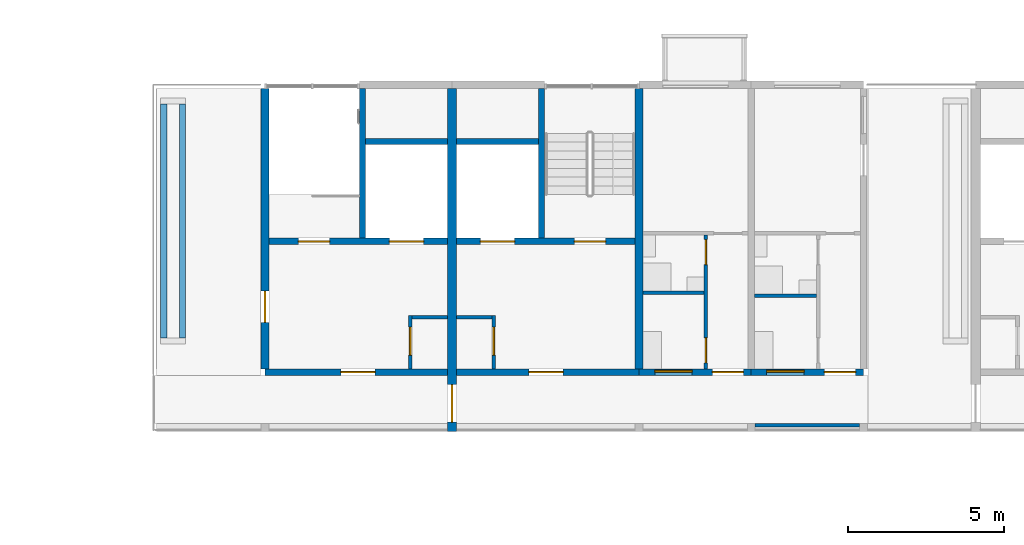
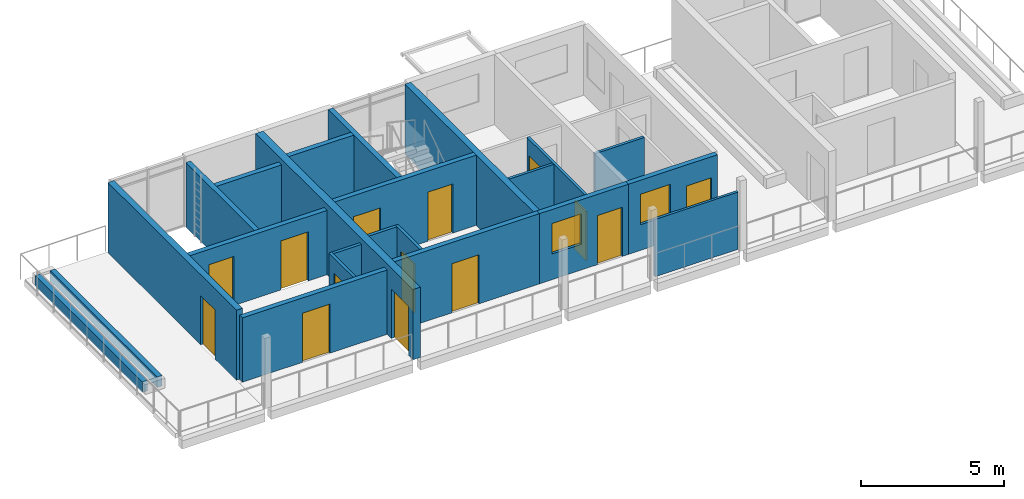
# One storey, part 38 of 94: 23 walls, 14 doors, 2 windows, 16 openings.
"""IFC4 building model written with IfcOpenShell, lengths in metres."""

import ifcopenshell
import ifcopenshell.guid

model = None  # the IFC model being written
_history = None  # IfcOwnerHistory: only IFC2X3 demands one
_inside = {}  # id of a spatial element -> (the spatial element, [elements in it])
_under = {}  # id of a project, library or spatial element -> (it, [spatial elements below it])
_declared = {}  # id of a project -> (the project, [libraries it declares])
_typed = {}  # id of a type object -> (the type object, [elements of that type])
_made_of = {}  # id of a material, layer set ... -> (it, [elements and type objects made of it])


def new_model(schema):
    """Start an empty IFC model of exactly this schema.

    Asked for "IFC4X3", IfcOpenShell would pick the latest addendum, in which some entities
    have other attributes; the version numbers below select the first issue.
    IFC2X3 requires an IfcOwnerHistory on every rooted entity: one is made here for all.
    """
    global model, _history
    if schema == "IFC4X3":
        model = ifcopenshell.file(schema_version=(4, 3, 0, 0))
    else:
        model = ifcopenshell.file(schema=schema)
    _inside.clear()
    _under.clear()
    _declared.clear()
    _typed.clear()
    _made_of.clear()
    _history = None
    if model.schema == "IFC2X3":
        org = make("IfcOrganization", Name="unknown")
        user = make(
            "IfcPersonAndOrganization",
            ThePerson=make("IfcPerson", FamilyName="unknown"),
            TheOrganization=org,
        )
        app = make(
            "IfcApplication",
            ApplicationDeveloper=org,
            Version="unknown",
            ApplicationFullName="unknown",
            ApplicationIdentifier="unknown",
        )
        _history = make(
            "IfcOwnerHistory",
            OwningUser=user,
            OwningApplication=app,
            ChangeAction="ADDED",
            CreationDate=0,
        )
    return model


def make(cls, **values):
    """One entity of the class cls with the attributes given. An attribute that is None is left unset."""
    return model.create_entity(
        cls, **{name: value for name, value in values.items() if value is not None}
    )


def rooted(cls, **values):
    """An entity with a GlobalId (a new one), such as an element, a storey or a relation."""
    return make(cls, GlobalId=ifcopenshell.guid.new(), OwnerHistory=_history, **values)


def si_unit(unit_type, name, prefix=None):
    """IfcSIUnit, for example si_unit("LENGTHUNIT", "METRE", prefix="MILLI")."""
    return make("IfcSIUnit", UnitType=unit_type, Prefix=prefix, Name=name)


def assignment(units):
    """IfcUnitAssignment: the units of a project."""
    return None if units is None else make("IfcUnitAssignment", Units=units)


def point(xyz):
    """IfcCartesianPoint."""
    return None if xyz is None else make("IfcCartesianPoint", Coordinates=xyz)


def direction(xyz):
    """IfcDirection."""
    return None if xyz is None else make("IfcDirection", DirectionRatios=xyz)


def frame(location, z_axis=None, x_axis=None):
    """IfcAxis2Placement3D, a coordinate frame: its origin and axes. An axis left out is left unset."""
    return make(
        "IfcAxis2Placement3D",
        Location=point(location),
        Axis=direction(z_axis),
        RefDirection=direction(x_axis),
    )


def frame_2d(location, x_axis=None):
    """IfcAxis2Placement2D, a coordinate frame in the plane: its origin and x axis."""
    return make(
        "IfcAxis2Placement2D", Location=point(location), RefDirection=direction(x_axis)
    )


def origin():
    """The frame at (0, 0, 0) with its axes left unset."""
    return frame((0.0, 0.0, 0.0))


def place(relative_to, where):
    """IfcLocalPlacement: puts the frame where relative to a parent placement (None: the world)."""
    return make(
        "IfcLocalPlacement", PlacementRelTo=relative_to, RelativePlacement=where
    )


def context(
    kind, dimensions, precision=None, world=None, true_north=None, identifier=None
):
    """IfcGeometricRepresentationContext, for example the 3D "Model" context."""
    return make(
        "IfcGeometricRepresentationContext",
        ContextIdentifier=identifier,
        ContextType=kind,
        CoordinateSpaceDimension=dimensions,
        Precision=precision,
        WorldCoordinateSystem=world,
        TrueNorth=true_north,
    )


def subcontext(parent, identifier, kind, view, scale=None):
    """IfcGeometricRepresentationSubContext, for example "Body" below "Model"."""
    return make(
        "IfcGeometricRepresentationSubContext",
        ContextIdentifier=identifier,
        ContextType=kind,
        ParentContext=parent,
        TargetScale=scale,
        TargetView=view,
    )


def project(units=None, contexts=None):
    """IfcProject with its units and contexts."""
    return rooted(
        "IfcProject",
        Name="project",
        RepresentationContexts=contexts,
        UnitsInContext=assignment(units),
    )


def spatial(cls, under=None, at=None, **own):
    """A site, building, storey or space (cls), placed at a placement, below another one or the project."""
    s = rooted(cls, ObjectPlacement=at, **own)
    if under is not None:
        _under.setdefault(under.id(), (under, []))[1].append(s)
    return s


def profile(cls, at=None, kind="AREA", **sizes):
    """A parametric profile (cls). Its sizes go by their IFC names, for example OverallWidth=200.0."""
    return make(cls, ProfileType=kind, Position=at, **sizes)


def rectangle(**sizes):
    """IfcRectangleProfileDef."""
    return profile("IfcRectangleProfileDef", **sizes)


def extrude(swept, where, along, depth):
    """IfcExtrudedAreaSolid: the profile swept, set in the frame where, extruded along a direction by depth."""
    return make(
        "IfcExtrudedAreaSolid",
        SweptArea=swept,
        Position=where,
        ExtrudedDirection=direction(along),
        Depth=depth,
    )


def shape(context_of_items, identifier, shape_type, items):
    """IfcShapeRepresentation: the items that make up one representation, for example the "Body"."""
    return make(
        "IfcShapeRepresentation",
        ContextOfItems=context_of_items,
        RepresentationIdentifier=identifier,
        RepresentationType=shape_type,
        Items=items,
    )


def material(Name=None, Category=None):
    """IfcMaterial."""
    return make("IfcMaterial", Name=Name, Category=Category)


def layer(
    of_material, thickness, ventilated=None, Name=None, Category=None, Priority=None
):
    """IfcMaterialLayer: one layer of a wall or slab, of a material (None: an air gap)."""
    return make(
        "IfcMaterialLayer",
        Material=of_material,
        LayerThickness=thickness,
        IsVentilated=ventilated,
        Name=Name,
        Category=Category,
        Priority=Priority,
    )


def layer_set(layers, Name=None):
    """IfcMaterialLayerSet."""
    return make("IfcMaterialLayerSet", MaterialLayers=layers, LayerSetName=Name)


def made_of(thing, what):
    """Note that an element or type object is made of a material, layer set ...; save() writes the relation."""
    if what is not None:
        _made_of.setdefault(what.id(), (what, []))[1].append(thing)
    return thing


def type_object(cls, material=None, **own):
    """A type object (cls), such as IfcWallType, which elements share."""
    return made_of(rooted(cls, **own), material)


def element(
    cls,
    number,
    at=None,
    inside=None,
    cuts=None,
    type_object=None,
    material=None,
    context=None,
    identifier="Body",
    shape_type=None,
    held_by="IfcProductDefinitionShape",
    body=None,
    shapes=None,
    **own,
):
    """One element of the class cls, such as IfcWall. Its Tag is "e" and its number.

    at: its placement. inside: the storey or other place that contains it. cuts: it is an
    opening in that element (IfcRelVoidsElement). A single representation is given by context,
    identifier, shape_type and body (its items); several are given by shapes. held_by: the class
    of the entity that holds the representations. save() writes the other relations.
    """
    e = rooted(cls, Tag="e%d" % number, ObjectPlacement=at, **own)
    if body is not None:
        shapes = [shape(context, identifier, shape_type, body)]
    if shapes is not None:
        e.Representation = make(held_by, Representations=shapes)
    if inside is not None:
        _inside.setdefault(inside.id(), (inside, []))[1].append(e)
    if cuts is not None:
        rooted(
            "IfcRelVoidsElement", RelatingBuildingElement=cuts, RelatedOpeningElement=e
        )
    if type_object is not None:
        _typed.setdefault(type_object.id(), (type_object, []))[1].append(e)
    return made_of(e, material)


def fill(opening, filler):
    """IfcRelFillsElement: the door or window that sits in an opening."""
    return rooted(
        "IfcRelFillsElement",
        RelatingOpeningElement=opening,
        RelatedBuildingElement=filler,
    )


def aggregate(whole, parts):
    """IfcRelAggregates: a whole, such as a stair, and the parts it consists of."""
    return rooted("IfcRelAggregates", RelatingObject=whole, RelatedObjects=parts)


def save(model, path):
    """Write the relations noted so far, then the file.

    IfcRelAggregates (storeys below a building ...), IfcRelContainedInSpatialStructure (elements
    in a storey), IfcRelDefinesByType, IfcRelAssociatesMaterial and IfcRelDeclares: one each for
    every whole, place, type object, material and project.
    """
    for whole, parts in _under.values():
        aggregate(whole, parts)
    for where, things in _inside.values():
        rooted(
            "IfcRelContainedInSpatialStructure",
            RelatedElements=things,
            RelatingStructure=where,
        )
    for kind, things in _typed.values():
        rooted("IfcRelDefinesByType", RelatedObjects=things, RelatingType=kind)
    for what, things in _made_of.values():
        rooted("IfcRelAssociatesMaterial", RelatedObjects=things, RelatingMaterial=what)
    for by, libraries in _declared.values():
        rooted("IfcRelDeclares", RelatingContext=by, RelatedDefinitions=libraries)
    model.write(path)


model = new_model("IFC4")

# Units and contexts
model_context = context("Model", 3, precision=1e-05, world=origin(), true_north=direction((0.0, 1.0)))
body_context = subcontext(model_context, "Body", "Model", "MODEL_VIEW")
ifc_project = project(units=[si_unit("LENGTHUNIT", "METRE"), si_unit("AREAUNIT", "SQUARE_METRE"), si_unit("VOLUMEUNIT", "CUBIC_METRE"), si_unit("PLANEANGLEUNIT", "RADIAN"), si_unit("MASSUNIT", "GRAM", prefix="KILO")], contexts=[model_context])

# Site, building, storey
site_placement = place(None, origin())
site = spatial("IfcSite", under=ifc_project, at=site_placement, CompositionType="ELEMENT")
building_placement = place(site_placement, origin())
building = spatial("IfcBuilding", under=site, at=building_placement, Name="Ridgestep Commons", CompositionType="ELEMENT")
storey_placement = place(building_placement, frame((0.0, 0.0, 24.0)))
storey = spatial("IfcBuildingStorey", under=building, at=storey_placement, Name="L08", CompositionType="ELEMENT", Elevation=24.0)

# Wall
ifc_material_1 = material(Name="Concrete C30/37", Category="concrete")
ifc_layer_1 = layer(ifc_material_1, 0.25)
ifc_layer_set_1 = layer_set([ifc_layer_1], Name="Core cross wall 250")
wall_type_1 = type_object("IfcWallType", Name="Core cross wall 250", PredefinedType="SHEAR", material=ifc_layer_set_1)
wall_1_placement = place(storey_placement, frame((34.800048828125, 68.0, 0.0), z_axis=(0.0, 0.0, 1.0), x_axis=(0.0, 1.0, 0.0)))
element("IfcWall", 1, at=wall_1_placement, inside=storey, type_object=wall_type_1, Name="Cross wall B-08-0348", PredefinedType="SHEAR", context=body_context, shape_type="SweptSolid", body=[
    extrude(rectangle(XDim=9.0, YDim=0.25, at=frame_2d((4.5, 0.0))), origin(), (0.0, 0.0, 1.0), 3.0),
])

# Wall, opening, door
ifc_material_2 = material(Name="Concrete C30/37", Category="concrete")
ifc_layer_2 = layer(ifc_material_2, 0.199951171875)
ifc_layer_set_2 = layer_set([ifc_layer_2], Name="Core south wall 200")
wall_type_2 = type_object("IfcWallType", Name="Core south wall 200", PredefinedType="SHEAR", material=ifc_layer_set_2)
wall_2_placement = place(storey_placement, frame((22.800048828125, 67.89990234375, 0.0), z_axis=(0.0, 0.0, 1.0), x_axis=(1.0, 0.0, 0.0)))
wall_2 = element("IfcWall", 2, at=wall_2_placement, inside=storey, type_object=wall_type_2, Name="Core south wall B1C L08", PredefinedType="SHEAR", context=body_context, shape_type="SweptSolid", body=[
    extrude(rectangle(XDim=5.849853515625, YDim=0.199951171875, at=frame_2d((2.9248046875, 0.0))), origin(), (0.0, 0.0, 1.0), 2.75),
])
opening_1_placement = place(wall_2_placement, frame((2.4375, 0.0, 0.0)))
opening_1 = element("IfcOpeningElement", 3, at=opening_1_placement, cuts=wall_2, Name="Opening B1C/08/1", PredefinedType="OPENING", context=body_context, shape_type="SweptSolid", body=[
    extrude(rectangle(XDim=1.10009765625, YDim=2.10009765625, at=frame_2d((0.550048828125, 1.050048828125))), frame((0.0, 0.10986328125, 0.0), z_axis=(0.0, -1.0, 0.0), x_axis=(1.0, 0.0, 0.0)), (0.0, 0.0, 1.0), 0.219970703125),
])
ifc_material_3 = material(Name="Steel fire door", Category="steel")
door_type_1 = type_object("IfcDoorType", Name="Lobby door 1100 x 2100 FD60", OperationType="NOTDEFINED", PredefinedType="DOOR", material=ifc_material_3)
door_1_placement = place(opening_1_placement, origin())
door_1 = element("IfcDoor", 4, at=door_1_placement, inside=storey, type_object=door_type_1, Name="Lobby door B1C/08/1", OperationType="SINGLE_SWING_LEFT", OverallHeight=2.10009765625, OverallWidth=1.10009765625, PredefinedType="DOOR", context=body_context, shape_type="SweptSolid", body=[
    extrude(rectangle(XDim=1.10009765625, YDim=2.10009765625, at=frame_2d((0.550048828125, 1.050048828125))), frame((0.0, 0.02490234375, 0.0), z_axis=(0.0, -1.0, 0.0), x_axis=(1.0, 0.0, 0.0)), (0.0, 0.0, 1.0), 0.050048828125),
])
fill(opening_1, door_1)

wall_3_placement = place(storey_placement, frame((28.949951171875, 67.89990234375, 0.0), z_axis=(0.0, 0.0, 1.0), x_axis=(1.0, 0.0, 0.0)))
wall_3 = element("IfcWall", 5, at=wall_3_placement, inside=storey, type_object=wall_type_2, Name="Core south wall B2C L08", PredefinedType="SHEAR", context=body_context, shape_type="SweptSolid", body=[
    extrude(rectangle(XDim=5.85009765625, YDim=0.199951171875, at=frame_2d((2.925048828125, 0.0))), origin(), (0.0, 0.0, 1.0), 3.0),
])
opening_2_placement = place(wall_3_placement, frame((2.3125, 0.0, 0.0)))
opening_2 = element("IfcOpeningElement", 6, at=opening_2_placement, cuts=wall_3, Name="Opening B2C/08/1", PredefinedType="OPENING", context=body_context, shape_type="SweptSolid", body=[
    extrude(rectangle(XDim=1.10009765625, YDim=2.10009765625, at=frame_2d((0.550048828125, 1.050048828125))), frame((0.0, 0.10986328125, 0.0), z_axis=(0.0, -1.0, 0.0), x_axis=(1.0, 0.0, 0.0)), (0.0, 0.0, 1.0), 0.219970703125),
])
door_2_placement = place(opening_2_placement, origin())
door_2 = element("IfcDoor", 7, at=door_2_placement, inside=storey, type_object=door_type_1, Name="Lobby door B2C/08/1", OperationType="SINGLE_SWING_LEFT", OverallHeight=2.10009765625, OverallWidth=1.10009765625, PredefinedType="DOOR", context=body_context, shape_type="SweptSolid", body=[
    extrude(rectangle(XDim=1.10009765625, YDim=2.10009765625, at=frame_2d((0.550048828125, 1.050048828125))), frame((0.0, 0.02490234375, 0.0), z_axis=(0.0, -1.0, 0.0), x_axis=(1.0, 0.0, 0.0)), (0.0, 0.0, 1.0), 0.050048828125),
])
fill(opening_2, door_2)

ifc_material_4 = material(Name="Concrete C30/37", Category="concrete")
ifc_layer_3 = layer(ifc_material_4, 0.1201171875)
ifc_layer_set_3 = layer_set([ifc_layer_3], Name="Core wall 120")
wall_type_3 = type_object("IfcWallType", Name="Core wall 120", PredefinedType="SHEAR", material=ifc_layer_set_3)
wall_4_placement = place(storey_placement, frame((27.4599609375, 68.0, 0.0), z_axis=(0.0, 0.0, 1.0), x_axis=(0.0, 1.0, 0.0)))
wall_4 = element("IfcWall", 8, at=wall_4_placement, inside=storey, type_object=wall_type_3, Name="Core riser w wall B1C L08", PredefinedType="SHEAR", context=body_context, shape_type="SweptSolid", body=[
    extrude(rectangle(XDim=1.719970703125, YDim=0.1201171875, at=frame_2d((0.85986328125, 0.0))), origin(), (0.0, 0.0, 1.0), 2.75),
])
opening_3_placement = place(wall_4_placement, frame((0.449951171875, 0.0, 0.0)))
opening_3 = element("IfcOpeningElement", 9, at=opening_3_placement, cuts=wall_4, Name="Opening B1C/08/4", PredefinedType="OPENING", context=body_context, shape_type="SweptSolid", body=[
    extrude(rectangle(XDim=0.89990234375, YDim=2.10009765625, at=frame_2d((0.449951171875, 1.050048828125))), frame((0.0, 0.070068359375, 0.0), z_axis=(0.0, -1.0, 0.0), x_axis=(1.0, 0.0, 0.0)), (0.0, 0.0, 1.0), 0.14013671875),
])
ifc_material_5 = material(Name="Steel fire door", Category="steel")
door_type_2 = type_object("IfcDoorType", Name="Riser door 900 x 2100 FD60", OperationType="NOTDEFINED", PredefinedType="DOOR", material=ifc_material_5)
door_3_placement = place(opening_3_placement, origin())
door_3 = element("IfcDoor", 10, at=door_3_placement, inside=storey, type_object=door_type_2, Name="Riser door B1C/08/4", OperationType="SINGLE_SWING_LEFT", OverallHeight=2.10009765625, OverallWidth=0.89990234375, PredefinedType="DOOR", context=body_context, shape_type="SweptSolid", body=[
    extrude(rectangle(XDim=0.89990234375, YDim=2.10009765625, at=frame_2d((0.449951171875, 1.050048828125))), frame((0.0, 0.02490234375, 0.0), z_axis=(0.0, -1.0, 0.0), x_axis=(1.0, 0.0, 0.0)), (0.0, 0.0, 1.0), 0.050048828125),
])
fill(opening_3, door_3)

# Wall
wall_5_placement = place(storey_placement, frame((27.52001953125, 69.659912109375, 0.0), z_axis=(0.0, 0.0, 1.0), x_axis=(1.0, 0.0, 0.0)))
element("IfcWall", 11, at=wall_5_placement, inside=storey, type_object=wall_type_3, Name="Core riser n wall B1C L08", PredefinedType="SHEAR", context=body_context, shape_type="SweptSolid", body=[
    extrude(rectangle(XDim=1.1298828125, YDim=0.1201171875, at=frame_2d((0.56494140625, 0.0))), origin(), (0.0, 0.0, 1.0), 2.75),
])

# Wall, opening, door
wall_6_placement = place(storey_placement, frame((30.139892578125, 68.0, 0.0), z_axis=(0.0, 0.0, 1.0), x_axis=(0.0, 1.0, 0.0)))
wall_6 = element("IfcWall", 12, at=wall_6_placement, inside=storey, type_object=wall_type_3, Name="Core riser w wall B2C L08", PredefinedType="SHEAR", context=body_context, shape_type="SweptSolid", body=[
    extrude(rectangle(XDim=1.719970703125, YDim=0.1201171875, at=frame_2d((0.85986328125, 0.0))), origin(), (0.0, 0.0, 1.0), 3.0),
])
opening_4_placement = place(wall_6_placement, frame((0.449951171875, 0.0, 0.0)))
opening_4 = element("IfcOpeningElement", 13, at=opening_4_placement, cuts=wall_6, Name="Opening B2C/08/4", PredefinedType="OPENING", context=body_context, shape_type="SweptSolid", body=[
    extrude(rectangle(XDim=0.89990234375, YDim=2.10009765625, at=frame_2d((0.449951171875, 1.050048828125))), frame((0.0, 0.070068359375, 0.0), z_axis=(0.0, -1.0, 0.0), x_axis=(1.0, 0.0, 0.0)), (0.0, 0.0, 1.0), 0.14013671875),
])
door_4_placement = place(opening_4_placement, origin())
door_4 = element("IfcDoor", 14, at=door_4_placement, inside=storey, type_object=door_type_2, Name="Riser door B2C/08/4", OperationType="SINGLE_SWING_RIGHT", OverallHeight=2.10009765625, OverallWidth=0.89990234375, PredefinedType="DOOR", context=body_context, shape_type="SweptSolid", body=[
    extrude(rectangle(XDim=0.89990234375, YDim=2.10009765625, at=frame_2d((0.449951171875, 1.050048828125))), frame((0.0, 0.02490234375, 0.0), z_axis=(0.0, -1.0, 0.0), x_axis=(1.0, 0.0, 0.0)), (0.0, 0.0, 1.0), 0.050048828125),
])
fill(opening_4, door_4)

# Wall
wall_7_placement = place(storey_placement, frame((28.949951171875, 69.659912109375, 0.0), z_axis=(0.0, 0.0, 1.0), x_axis=(1.0, 0.0, 0.0)))
element("IfcWall", 15, at=wall_7_placement, inside=storey, type_object=wall_type_3, Name="Core riser n wall B2C L08", PredefinedType="SHEAR", context=body_context, shape_type="SweptSolid", body=[
    extrude(rectangle(XDim=1.130126953125, YDim=0.1201171875, at=frame_2d((0.56494140625, 0.0))), origin(), (0.0, 0.0, 1.0), 3.0),
])

# Wall, openings, doors
ifc_material_6 = material(Name="Concrete C30/37", Category="concrete")
ifc_layer_4 = layer(ifc_material_6, 0.199951171875)
ifc_layer_set_4 = layer_set([ifc_layer_4], Name="Core wall 200")
wall_type_4 = type_object("IfcWallType", Name="Core wall 200", PredefinedType="SHEAR", material=ifc_layer_set_4)
wall_8_placement = place(storey_placement, frame((22.925048828125, 72.10009765625, 0.0), z_axis=(0.0, 0.0, 1.0), x_axis=(1.0, 0.0, 0.0)))
wall_8 = element("IfcWall", 16, at=wall_8_placement, inside=storey, type_object=wall_type_4, Name="Core lobby wall B1C L08", PredefinedType="SHEAR", context=body_context, shape_type="SweptSolid", body=[
    extrude(rectangle(XDim=5.724853515625, YDim=0.199951171875, at=frame_2d((2.8623046875, 0.0))), origin(), (0.0, 0.0, 1.0), 2.75),
])
opening_5_placement = place(wall_8_placement, frame((0.949951171875, 0.0, 0.0)))
opening_5 = element("IfcOpeningElement", 17, at=opening_5_placement, cuts=wall_8, Name="Opening B1C/08/2", PredefinedType="OPENING", context=body_context, shape_type="SweptSolid", body=[
    extrude(rectangle(XDim=1.0, YDim=2.10009765625, at=frame_2d((0.5, 1.050048828125))), frame((0.0, 0.10986328125, 0.0), z_axis=(0.0, -1.0, 0.0), x_axis=(1.0, 0.0, 0.0)), (0.0, 0.0, 1.0), 0.219970703125),
])
opening_6_placement = place(wall_8_placement, frame((3.862548828125, 0.0, 0.0)))
opening_6 = element("IfcOpeningElement", 18, at=opening_6_placement, cuts=wall_8, Name="Opening B1C/08/3", PredefinedType="OPENING", context=body_context, shape_type="SweptSolid", body=[
    extrude(rectangle(XDim=1.10009765625, YDim=2.10009765625, at=frame_2d((0.550048828125, 1.050048828125))), frame((0.0, 0.10986328125, 0.0), z_axis=(0.0, -1.0, 0.0), x_axis=(1.0, 0.0, 0.0)), (0.0, 0.0, 1.0), 0.219970703125),
])
ifc_material_7 = material(Name="Stainless steel", Category="steel")
door_type_3 = type_object("IfcDoorType", Name="Lift landing door 1100 x 2100 FD60", OperationType="DOUBLE_DOOR_SLIDING", PredefinedType="DOOR", material=ifc_material_7)
door_5_placement = place(opening_6_placement, origin())
door_5 = element("IfcDoor", 19, at=door_5_placement, inside=storey, type_object=door_type_3, Name="Landing door LD B1C L08", OperationType="DOUBLE_DOOR_SLIDING", OverallHeight=2.10009765625, OverallWidth=1.10009765625, PredefinedType="DOOR", context=body_context, shape_type="SweptSolid", body=[
    extrude(rectangle(XDim=1.10009765625, YDim=2.10009765625, at=frame_2d((0.550048828125, 1.050048828125))), frame((0.0, 0.02490234375, 0.0), z_axis=(0.0, -1.0, 0.0), x_axis=(1.0, 0.0, 0.0)), (0.0, 0.0, 1.0), 0.050048828125),
])
fill(opening_6, door_5)
ifc_material_8 = material(Name="Steel fire door", Category="steel")
door_type_4 = type_object("IfcDoorType", Name="Stair door 1000 x 2100 FD60", OperationType="NOTDEFINED", PredefinedType="DOOR", material=ifc_material_8)
door_6_placement = place(opening_5_placement, origin())
door_6 = element("IfcDoor", 20, at=door_6_placement, inside=storey, type_object=door_type_4, Name="Stair door B1C/08/2", OperationType="SINGLE_SWING_RIGHT", OverallHeight=2.10009765625, OverallWidth=1.0, PredefinedType="DOOR", context=body_context, shape_type="SweptSolid", body=[
    extrude(rectangle(XDim=1.0, YDim=2.10009765625, at=frame_2d((0.5, 1.050048828125))), frame((0.0, 0.02490234375, 0.0), z_axis=(0.0, -1.0, 0.0), x_axis=(1.0, 0.0, 0.0)), (0.0, 0.0, 1.0), 0.050048828125),
])
fill(opening_5, door_6)

# Walls
wall_9_placement = place(storey_placement, frame((25.925048828125, 72.199951171875, 0.0), z_axis=(0.0, 0.0, 1.0), x_axis=(0.0, 1.0, 0.0)))
element("IfcWall", 21, at=wall_9_placement, inside=storey, type_object=wall_type_4, Name="Core stair wall B1C L08", PredefinedType="SHEAR", context=body_context, shape_type="SweptSolid", body=[
    extrude(rectangle(XDim=4.800048828125, YDim=0.199951171875, at=frame_2d((2.39990234375, 0.0))), origin(), (0.0, 0.0, 1.0), 2.75),
])
wall_10_placement = place(storey_placement, frame((26.02490234375, 75.300048828125, 0.0), z_axis=(0.0, 0.0, 1.0), x_axis=(1.0, 0.0, 0.0)))
element("IfcWall", 22, at=wall_10_placement, inside=storey, type_object=wall_type_4, Name="Core duct wall B1C L08", PredefinedType="SHEAR", context=body_context, shape_type="SweptSolid", body=[
    extrude(rectangle(XDim=2.625, YDim=0.199951171875, at=frame_2d((1.3125, 0.0))), origin(), (0.0, 0.0, 1.0), 2.75),
])

# Wall, openings, doors
wall_11_placement = place(storey_placement, frame((28.949951171875, 72.10009765625, 0.0), z_axis=(0.0, 0.0, 1.0), x_axis=(1.0, 0.0, 0.0)))
wall_11 = element("IfcWall", 23, at=wall_11_placement, inside=storey, type_object=wall_type_4, Name="Core lobby wall B2C L08", PredefinedType="SHEAR", context=body_context, shape_type="SweptSolid", body=[
    extrude(rectangle(XDim=5.72509765625, YDim=0.199951171875, at=frame_2d((2.862548828125, 0.0))), origin(), (0.0, 0.0, 1.0), 3.0),
])
opening_7_placement = place(wall_11_placement, frame((3.77490234375, 0.0, 0.0)))
opening_7 = element("IfcOpeningElement", 24, at=opening_7_placement, cuts=wall_11, Name="Opening B2C/08/2", PredefinedType="OPENING", context=body_context, shape_type="SweptSolid", body=[
    extrude(rectangle(XDim=1.0, YDim=2.10009765625, at=frame_2d((0.5, 1.050048828125))), frame((0.0, 0.10986328125, 0.0), z_axis=(0.0, -1.0, 0.0), x_axis=(1.0, 0.0, 0.0)), (0.0, 0.0, 1.0), 0.219970703125),
])
opening_8_placement = place(wall_11_placement, frame((0.762451171875, 0.0, 0.0)))
opening_8 = element("IfcOpeningElement", 25, at=opening_8_placement, cuts=wall_11, Name="Opening B2C/08/3", PredefinedType="OPENING", context=body_context, shape_type="SweptSolid", body=[
    extrude(rectangle(XDim=1.10009765625, YDim=2.10009765625, at=frame_2d((0.550048828125, 1.050048828125))), frame((0.0, 0.10986328125, 0.0), z_axis=(0.0, -1.0, 0.0), x_axis=(1.0, 0.0, 0.0)), (0.0, 0.0, 1.0), 0.219970703125),
])
door_7_placement = place(opening_8_placement, origin())
door_7 = element("IfcDoor", 26, at=door_7_placement, inside=storey, type_object=door_type_3, Name="Landing door LD B2C L08", OperationType="DOUBLE_DOOR_SLIDING", OverallHeight=2.10009765625, OverallWidth=1.10009765625, PredefinedType="DOOR", context=body_context, shape_type="SweptSolid", body=[
    extrude(rectangle(XDim=1.10009765625, YDim=2.10009765625, at=frame_2d((0.550048828125, 1.050048828125))), frame((0.0, 0.02490234375, 0.0), z_axis=(0.0, -1.0, 0.0), x_axis=(1.0, 0.0, 0.0)), (0.0, 0.0, 1.0), 0.050048828125),
])
fill(opening_8, door_7)
door_8_placement = place(opening_7_placement, origin())
door_8 = element("IfcDoor", 27, at=door_8_placement, inside=storey, type_object=door_type_4, Name="Stair door B2C/08/2", OperationType="SINGLE_SWING_RIGHT", OverallHeight=2.10009765625, OverallWidth=1.0, PredefinedType="DOOR", context=body_context, shape_type="SweptSolid", body=[
    extrude(rectangle(XDim=1.0, YDim=2.10009765625, at=frame_2d((0.5, 1.050048828125))), frame((0.0, 0.02490234375, 0.0), z_axis=(0.0, -1.0, 0.0), x_axis=(1.0, 0.0, 0.0)), (0.0, 0.0, 1.0), 0.050048828125),
])
fill(opening_7, door_8)

# Walls
wall_12_placement = place(storey_placement, frame((31.675048828125, 72.199951171875, 0.0), z_axis=(0.0, 0.0, 1.0), x_axis=(0.0, 1.0, 0.0)))
element("IfcWall", 28, at=wall_12_placement, inside=storey, type_object=wall_type_4, Name="Core stair wall B2C L08", PredefinedType="SHEAR", context=body_context, shape_type="SweptSolid", body=[
    extrude(rectangle(XDim=4.800048828125, YDim=0.199951171875, at=frame_2d((2.39990234375, 0.0))), origin(), (0.0, 0.0, 1.0), 3.0),
])
wall_13_placement = place(storey_placement, frame((28.949951171875, 75.300048828125, 0.0), z_axis=(0.0, 0.0, 1.0), x_axis=(1.0, 0.0, 0.0)))
element("IfcWall", 29, at=wall_13_placement, inside=storey, type_object=wall_type_4, Name="Core duct wall B2C L08", PredefinedType="SHEAR", context=body_context, shape_type="SweptSolid", body=[
    extrude(rectangle(XDim=2.625, YDim=0.199951171875, at=frame_2d((1.3125, 0.0))), origin(), (0.0, 0.0, 1.0), 3.0),
])

# Wall, opening, door
ifc_material_9 = material(Name="Precast concrete C40/50", Category="concrete")
ifc_layer_5 = layer(ifc_material_9, 0.300048828125)
ifc_layer_set_5 = layer_set([ifc_layer_5], Name="Division wall 300")
wall_type_5 = type_object("IfcWallType", Name="Division wall 300", PredefinedType="SHEAR", material=ifc_layer_set_5)
wall_14_placement = place(storey_placement, frame((28.800048828125, 66.0, 0.0), z_axis=(0.0, 0.0, 1.0), x_axis=(0.0, 1.0, 0.0)))
wall_14 = element("IfcWall", 30, at=wall_14_placement, inside=storey, type_object=wall_type_5, Name="Cross wall B-08-0288", PredefinedType="SHEAR", context=body_context, shape_type="SweptSolid", body=[
    extrude(rectangle(XDim=11.0, YDim=0.300048828125, at=frame_2d((5.5, 0.0))), origin(), (0.0, 0.0, 1.0), 3.0),
])
opening_9_placement = place(wall_14_placement, frame((0.300048828125, 0.0, 0.0)))
opening_9 = element("IfcOpeningElement", 31, at=opening_9_placement, cuts=wall_14, Name="Opening B/08/G0288", PredefinedType="OPENING", context=body_context, shape_type="SweptSolid", body=[
    extrude(rectangle(XDim=1.199951171875, YDim=2.10009765625, at=frame_2d((0.60009765625, 1.050048828125))), frame((0.0, 0.159912109375, 0.0), z_axis=(0.0, -1.0, 0.0), x_axis=(1.0, 0.0, 0.0)), (0.0, 0.0, 1.0), 0.320068359375),
])
ifc_material_10 = material(Name="Steel fire door", Category="steel")
door_type_5 = type_object("IfcDoorType", Name="Division fire door 1200 x 2100 EI 240", OperationType="DOUBLE_DOOR_SINGLE_SWING", PredefinedType="DOOR", material=ifc_material_10)
door_9_placement = place(opening_9_placement, origin())
door_9 = element("IfcDoor", 32, at=door_9_placement, inside=storey, type_object=door_type_5, Name="Division fire door B/08/G0288", OperationType="DOUBLE_DOOR_SINGLE_SWING", OverallHeight=2.10009765625, OverallWidth=1.199951171875, PredefinedType="DOOR", context=body_context, shape_type="SweptSolid", body=[
    extrude(rectangle(XDim=1.199951171875, YDim=2.10009765625, at=frame_2d((0.60009765625, 1.050048828125))), frame((0.0, 0.02490234375, 0.0), z_axis=(0.0, -1.0, 0.0), x_axis=(1.0, 0.0, 0.0)), (0.0, 0.0, 1.0), 0.050048828125),
])
fill(opening_9, door_9)

ifc_material_11 = material(Name="Concrete C30/37", Category="concrete")
ifc_layer_6 = layer(ifc_material_11, 0.25)
ifc_layer_set_6 = layer_set([ifc_layer_6], Name="Exposed core cross wall 250")
wall_type_6 = type_object("IfcWallType", Name="Exposed core cross wall 250", PredefinedType="SHEAR", material=ifc_layer_set_6)
wall_15_placement = place(storey_placement, frame((22.800048828125, 68.0, 0.0), z_axis=(0.0, 0.0, 1.0), x_axis=(0.0, 1.0, 0.0)))
wall_15 = element("IfcWall", 33, at=wall_15_placement, inside=storey, type_object=wall_type_6, Name="Cross wall B-08-0228", PredefinedType="SHEAR", context=body_context, shape_type="SweptSolid", body=[
    extrude(rectangle(XDim=9.0, YDim=0.25, at=frame_2d((4.5, 0.0))), origin(), (0.0, 0.0, 1.0), 3.0),
])
opening_10_placement = place(wall_15_placement, frame((1.5, 0.0, 0.0)))
opening_10 = element("IfcOpeningElement", 34, at=opening_10_placement, cuts=wall_15, Name="Opening B1C/08/T", PredefinedType="OPENING", context=body_context, shape_type="SweptSolid", body=[
    extrude(rectangle(XDim=1.0, YDim=2.10009765625, at=frame_2d((0.5, 1.050048828125))), frame((0.0, 0.135009765625, 0.0), z_axis=(0.0, -1.0, 0.0), x_axis=(1.0, 0.0, 0.0)), (0.0, 0.0, 1.0), 0.27001953125),
])
ifc_material_12 = material(Name="Aluminium and glass", Category="aluminium")
door_type_6 = type_object("IfcDoorType", Name="Terrace door 1000 x 2100 FD60", OperationType="NOTDEFINED", PredefinedType="DOOR", material=ifc_material_12)
door_10_placement = place(opening_10_placement, origin())
door_10 = element("IfcDoor", 35, at=door_10_placement, inside=storey, type_object=door_type_6, Name="Terrace door B1C/08/T", OperationType="SINGLE_SWING_LEFT", OverallHeight=2.10009765625, OverallWidth=1.0, PredefinedType="DOOR", context=body_context, shape_type="SweptSolid", body=[
    extrude(rectangle(XDim=1.0, YDim=2.10009765625, at=frame_2d((0.5, 1.050048828125))), frame((0.0, 0.02490234375, 0.0), z_axis=(0.0, -1.0, 0.0), x_axis=(1.0, 0.0, 0.0)), (0.0, 0.0, 1.0), 0.050048828125),
])
fill(opening_10, door_10)

# Walls
ifc_material_13 = material(Name="Common brick 110 mm", Category="masonry")
ifc_layer_7 = layer(ifc_material_13, 0.110107421875)
ifc_layer_set_7 = layer_set([ifc_layer_7], Name="Partition 110")
wall_type_7 = type_object("IfcWallType", Name="Partition 110", PredefinedType="PARTITIONING", material=ifc_layer_set_7)
wall_16_placement = place(storey_placement, frame((38.5, 70.35498046875, 0.0), z_axis=(0.0, 0.0, 1.0), x_axis=(1.0, 0.0, 0.0)))
element("IfcWall", 36, at=wall_16_placement, inside=storey, type_object=wall_type_7, Name="Partition B2-08a", PredefinedType="PARTITIONING", context=body_context, shape_type="SweptSolid", body=[
    extrude(rectangle(XDim=1.989990234375, YDim=0.110107421875, at=frame_2d((0.9951171875, 0.0))), origin(), (0.0, 0.0, 1.0), 2.75),
])
wall_17_placement = place(storey_placement, frame((34.925048828125, 70.455078125, 0.0), z_axis=(0.0, 0.0, 1.0), x_axis=(1.0, 0.0, 0.0)))
element("IfcWall", 37, at=wall_17_placement, inside=storey, type_object=wall_type_7, Name="Partition B2-08b", PredefinedType="PARTITIONING", context=body_context, shape_type="SweptSolid", body=[
    extrude(rectangle(XDim=1.96484375, YDim=0.110107421875, at=frame_2d((0.982421875, 0.0))), origin(), (0.0, 0.0, 1.0), 2.800048828125),
])

# Wall, openings, doors
wall_18_placement = place(storey_placement, frame((36.945068359375, 68.0, 0.0), z_axis=(0.0, 0.0, 1.0), x_axis=(0.0, 1.0, 0.0)))
wall_18 = element("IfcWall", 38, at=wall_18_placement, inside=storey, type_object=wall_type_7, Name="Partition B2-08b", PredefinedType="PARTITIONING", context=body_context, shape_type="SweptSolid", body=[
    extrude(rectangle(XDim=4.300048828125, YDim=0.110107421875, at=frame_2d((2.14990234375, 0.0))), origin(), (0.0, 0.0, 1.0), 2.800048828125),
])
opening_11_placement = place(wall_18_placement, frame((0.199951171875, 0.0, 0.0)))
opening_11 = element("IfcOpeningElement", 39, at=opening_11_placement, cuts=wall_18, Name="Opening B2-08b/2", PredefinedType="OPENING", context=body_context, shape_type="SweptSolid", body=[
    extrude(rectangle(XDim=0.800048828125, YDim=2.10009765625, at=frame_2d((0.39990234375, 1.050048828125))), frame((0.0, 0.06494140625, 0.0), z_axis=(0.0, -1.0, 0.0), x_axis=(1.0, 0.0, 0.0)), (0.0, 0.0, 1.0), 0.130126953125),
])
opening_12_placement = place(wall_18_placement, frame((3.35009765625, 0.0, 0.0)))
opening_12 = element("IfcOpeningElement", 40, at=opening_12_placement, cuts=wall_18, Name="Opening B2-08b/3", PredefinedType="OPENING", context=body_context, shape_type="SweptSolid", body=[
    extrude(rectangle(XDim=0.800048828125, YDim=2.10009765625, at=frame_2d((0.39990234375, 1.050048828125))), frame((0.0, 0.06494140625, 0.0), z_axis=(0.0, -1.0, 0.0), x_axis=(1.0, 0.0, 0.0)), (0.0, 0.0, 1.0), 0.130126953125),
])
ifc_material_14 = material(Name="Timber door leaf", Category="wood")
door_type_7 = type_object("IfcDoorType", Name="Internal door 800 x 2100", OperationType="NOTDEFINED", PredefinedType="DOOR", material=ifc_material_14)
door_11_placement = place(opening_11_placement, origin())
door_11 = element("IfcDoor", 41, at=door_11_placement, inside=storey, type_object=door_type_7, Name="Internal door B2-08b/2", OperationType="SINGLE_SWING_LEFT", OverallHeight=2.10009765625, OverallWidth=0.800048828125, PredefinedType="DOOR", context=body_context, shape_type="SweptSolid", body=[
    extrude(rectangle(XDim=0.800048828125, YDim=2.10009765625, at=frame_2d((0.39990234375, 1.050048828125))), frame((0.0, 0.02490234375, 0.0), z_axis=(0.0, -1.0, 0.0), x_axis=(1.0, 0.0, 0.0)), (0.0, 0.0, 1.0), 0.050048828125),
])
fill(opening_11, door_11)
door_12_placement = place(opening_12_placement, origin())
door_12 = element("IfcDoor", 42, at=door_12_placement, inside=storey, type_object=door_type_7, Name="Internal door B2-08b/3", OperationType="SINGLE_SWING_RIGHT", OverallHeight=2.10009765625, OverallWidth=0.800048828125, PredefinedType="DOOR", context=body_context, shape_type="SweptSolid", body=[
    extrude(rectangle(XDim=0.800048828125, YDim=2.10009765625, at=frame_2d((0.39990234375, 1.050048828125))), frame((0.0, 0.02490234375, 0.0), z_axis=(0.0, -1.0, 0.0), x_axis=(1.0, 0.0, 0.0)), (0.0, 0.0, 1.0), 0.050048828125),
])
fill(opening_12, door_12)

# Walls
ifc_material_15 = material(Name="Precast concrete C30/37", Category="concrete")
ifc_layer_8 = layer(ifc_material_15, 0.10009765625)
ifc_layer_set_8 = layer_set([ifc_layer_8], Name="Perforated gallery screen 3350 x 2450 x 100")
wall_type_8 = type_object("IfcWallType", Name="Perforated gallery screen 3350 x 2450 x 100", PredefinedType="SOLIDWALL", material=ifc_layer_set_8)
wall_19_placement = place(storey_placement, frame((38.52490234375, 66.199951171875, 0.0), z_axis=(0.0, 0.0, 1.0), x_axis=(1.0, 0.0, 0.0)))
element("IfcWall", 43, at=wall_19_placement, inside=storey, type_object=wall_type_8, Name="Gallery screen B2T2 08", PredefinedType="SOLIDWALL", context=body_context, shape_type="SweptSolid", body=[
    extrude(rectangle(XDim=3.35009765625, YDim=0.10009765625, at=frame_2d((1.675048828125, 0.0))), origin(), (0.0, 0.0, 1.0), 2.449951171875),
])
ifc_material_16 = material(Name="Facing brick", Category="masonry")
ifc_layer_9 = layer(ifc_material_16, 0.199951171875)
ifc_layer_set_9 = layer_set([ifc_layer_9], Name="Planter wall 200")
wall_type_9 = type_object("IfcWallType", Name="Planter wall 200", PredefinedType="SOLIDWALL", material=ifc_layer_set_9)
for number, where, z_axis, x_axis, name in (
    (44, (19.550048828125, 69.0, 0.010009765625), (0.0, 0.0, 1.0), (0.0, 1.0, 0.0), "Planter wall B1R3W"),
    (45, (20.14990234375, 69.0, 0.010009765625), (0.0, 0.0, 1.0), (0.0, 1.0, 0.0), "Planter wall B1R3E"),
):
    element("IfcWall", number, at=place(storey_placement, frame(where, z_axis=z_axis, x_axis=x_axis)), inside=storey, type_object=wall_type_9, Name=name, PredefinedType="SOLIDWALL", context=body_context, shape_type="SweptSolid", body=[
        extrude(rectangle(XDim=7.5, YDim=0.199951171875, at=frame_2d((3.75, 0.0))), origin(), (0.0, 0.0, 1.0), 0.449951171875),
    ])

# Wall, openings, door, window
ifc_material_17 = material(Name="Precast concrete C40/50", Category="concrete")
ifc_layer_10 = layer(ifc_material_17, 0.199951171875)
ifc_layer_set_10 = layer_set([ifc_layer_10], Name="South facade panel 200")
wall_type_10 = type_object("IfcWallType", Name="South facade panel 200", PredefinedType="SOLIDWALL", material=ifc_layer_set_10)
wall_20_placement = place(storey_placement, frame((34.800048828125, 67.89990234375, 0.0), z_axis=(0.0, 0.0, 1.0), x_axis=(1.0, 0.0, 0.0)))
wall_20 = element("IfcWall", 46, at=wall_20_placement, inside=storey, type_object=wall_type_10, Name="South panel B2T3 L08", PredefinedType="SOLIDWALL", context=body_context, shape_type="SweptSolid", body=[
    extrude(rectangle(XDim=3.599853515625, YDim=0.199951171875, at=frame_2d((1.7998046875, 0.0))), origin(), (0.0, 0.0, 1.0), 3.0),
])
opening_13_placement = place(wall_20_placement, frame((0.507568359375, 0.0, 1.10009765625)))
opening_13 = element("IfcOpeningElement", 47, at=opening_13_placement, cuts=wall_20, Name="Opening W08", PredefinedType="OPENING", context=body_context, shape_type="SweptSolid", body=[
    extrude(rectangle(XDim=1.199951171875, YDim=1.300048828125, at=frame_2d((0.60009765625, 0.64990234375))), frame((0.0, 0.10986328125, 0.0), z_axis=(0.0, -1.0, 0.0), x_axis=(1.0, 0.0, 0.0)), (0.0, 0.0, 1.0), 0.219970703125),
])
opening_14_placement = place(wall_20_placement, frame((2.35009765625, 0.0, 0.0)))
opening_14 = element("IfcOpeningElement", 48, at=opening_14_placement, cuts=wall_20, Name="Opening B2-08b/1", PredefinedType="OPENING", context=body_context, shape_type="SweptSolid", body=[
    extrude(rectangle(XDim=1.0, YDim=2.10009765625, at=frame_2d((0.5, 1.050048828125))), frame((0.0, 0.10986328125, 0.0), z_axis=(0.0, -1.0, 0.0), x_axis=(1.0, 0.0, 0.0)), (0.0, 0.0, 1.0), 0.219970703125),
])
ifc_material_18 = material(Name="Timber door leaf", Category="wood")
door_type_8 = type_object("IfcDoorType", Name="Flat entrance door 1000 x 2100 FD30S", OperationType="NOTDEFINED", PredefinedType="DOOR", material=ifc_material_18)
door_13_placement = place(opening_14_placement, origin())
door_13 = element("IfcDoor", 49, at=door_13_placement, inside=storey, type_object=door_type_8, Name="Flat entrance door B2-08b/1", OperationType="SINGLE_SWING_RIGHT", OverallHeight=2.10009765625, OverallWidth=1.0, PredefinedType="DOOR", context=body_context, shape_type="SweptSolid", body=[
    extrude(rectangle(XDim=1.0, YDim=2.10009765625, at=frame_2d((0.5, 1.050048828125))), frame((0.0, 0.02490234375, 0.0), z_axis=(0.0, -1.0, 0.0), x_axis=(1.0, 0.0, 0.0)), (0.0, 0.0, 1.0), 0.050048828125),
])
fill(opening_14, door_13)
ifc_material_19 = material(Name="Aluminium 6063-T6 and glass", Category="aluminium")
window_type = type_object("IfcWindowType", Name="Flat window 1200 x 1300", PartitioningType="SINGLE_PANEL", PredefinedType="WINDOW", material=ifc_material_19)
window_1_placement = place(opening_13_placement, origin())
window_1 = element("IfcWindow", 50, at=window_1_placement, inside=storey, type_object=window_type, Name="Window B2-08b 1", OverallHeight=1.300048828125, OverallWidth=1.199951171875, PartitioningType="SINGLE_PANEL", PredefinedType="WINDOW", context=body_context, shape_type="SweptSolid", body=[
    extrude(rectangle(XDim=1.199951171875, YDim=1.300048828125, at=frame_2d((0.60009765625, 0.64990234375))), frame((0.0, 0.06005859375, 0.0), z_axis=(0.0, -1.0, 0.0), x_axis=(1.0, 0.0, 0.0)), (0.0, 0.0, 1.0), 0.06005859375),
])
fill(opening_13, window_1)

wall_21_placement = place(storey_placement, frame((38.39990234375, 67.89990234375, 0.0), z_axis=(0.0, 0.0, 1.0), x_axis=(1.0, 0.0, 0.0)))
wall_21 = element("IfcWall", 51, at=wall_21_placement, inside=storey, type_object=wall_type_10, Name="South panel B2T2 L08", PredefinedType="SOLIDWALL", context=body_context, shape_type="SweptSolid", body=[
    extrude(rectangle(XDim=3.60009765625, YDim=0.199951171875, at=frame_2d((1.800048828125, 0.0))), origin(), (0.0, 0.0, 1.0), 3.0),
])
opening_15_placement = place(wall_21_placement, frame((0.4951171875, 0.0, 1.10009765625)))
opening_15 = element("IfcOpeningElement", 52, at=opening_15_placement, cuts=wall_21, Name="Opening W08", PredefinedType="OPENING", context=body_context, shape_type="SweptSolid", body=[
    extrude(rectangle(XDim=1.199951171875, YDim=1.300048828125, at=frame_2d((0.60009765625, 0.64990234375))), frame((0.0, 0.10986328125, 0.0), z_axis=(0.0, -1.0, 0.0), x_axis=(1.0, 0.0, 0.0)), (0.0, 0.0, 1.0), 0.219970703125),
])
opening_16_placement = place(wall_21_placement, frame((2.35009765625, 0.0, 0.0)))
opening_16 = element("IfcOpeningElement", 53, at=opening_16_placement, cuts=wall_21, Name="Opening B2-08a/1", PredefinedType="OPENING", context=body_context, shape_type="SweptSolid", body=[
    extrude(rectangle(XDim=1.0, YDim=2.10009765625, at=frame_2d((0.5, 1.050048828125))), frame((0.0, 0.10986328125, 0.0), z_axis=(0.0, -1.0, 0.0), x_axis=(1.0, 0.0, 0.0)), (0.0, 0.0, 1.0), 0.219970703125),
])
door_14_placement = place(opening_16_placement, origin())
door_14 = element("IfcDoor", 54, at=door_14_placement, inside=storey, type_object=door_type_8, Name="Flat entrance door B2-08a/1", OperationType="SINGLE_SWING_RIGHT", OverallHeight=2.10009765625, OverallWidth=1.0, PredefinedType="DOOR", context=body_context, shape_type="SweptSolid", body=[
    extrude(rectangle(XDim=1.0, YDim=2.10009765625, at=frame_2d((0.5, 1.050048828125))), frame((0.0, 0.02490234375, 0.0), z_axis=(0.0, -1.0, 0.0), x_axis=(1.0, 0.0, 0.0)), (0.0, 0.0, 1.0), 0.050048828125),
])
fill(opening_16, door_14)
window_2_placement = place(opening_15_placement, origin())
window_2 = element("IfcWindow", 55, at=window_2_placement, inside=storey, type_object=window_type, Name="Window B2-08a 1", OverallHeight=1.300048828125, OverallWidth=1.199951171875, PartitioningType="SINGLE_PANEL", PredefinedType="WINDOW", context=body_context, shape_type="SweptSolid", body=[
    extrude(rectangle(XDim=1.199951171875, YDim=1.300048828125, at=frame_2d((0.60009765625, 0.64990234375))), frame((0.0, 0.06005859375, 0.0), z_axis=(0.0, -1.0, 0.0), x_axis=(1.0, 0.0, 0.0)), (0.0, 0.0, 1.0), 0.06005859375),
])
fill(opening_15, window_2)

save(model, "model.ifc")
